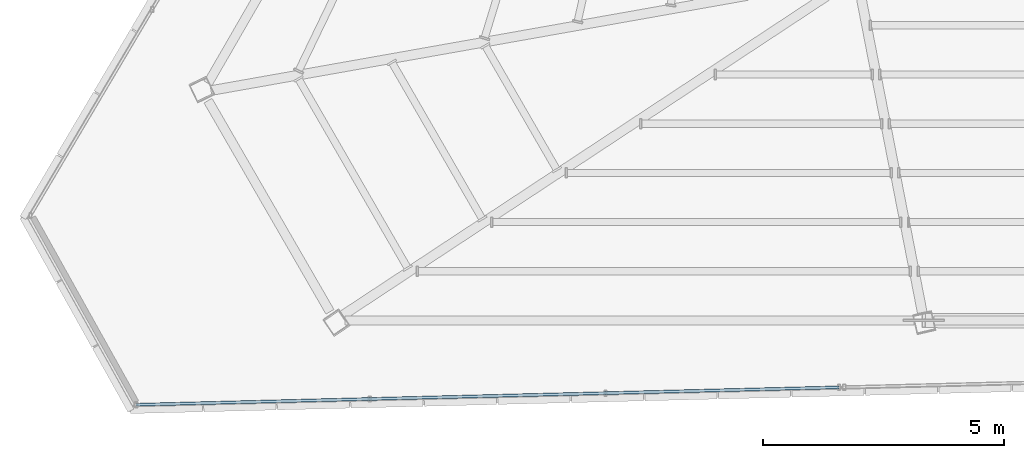
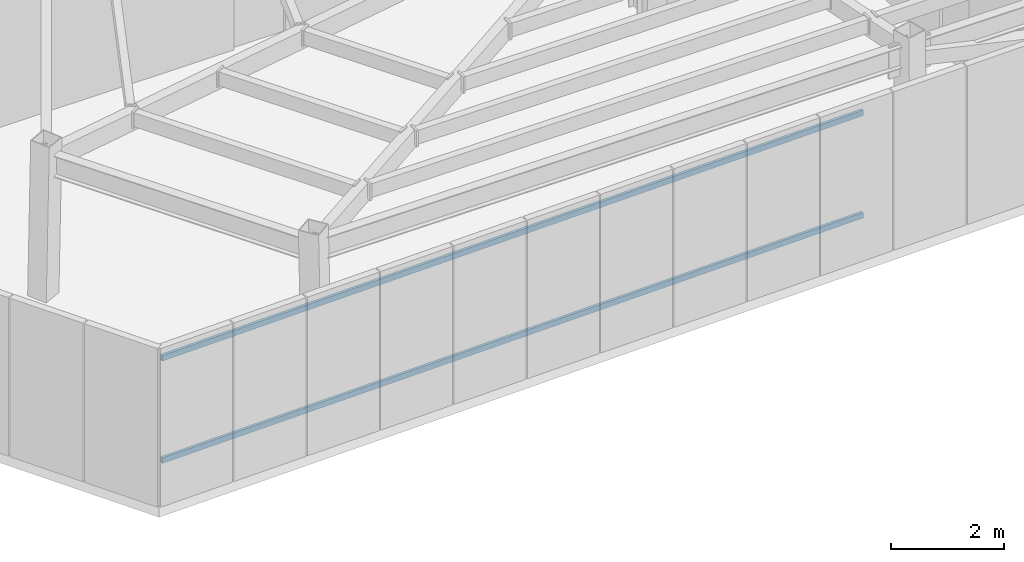
# One storey, part 4 of 48: 2 members, 1 element without a shape of its own.
"""IFC4 building model written with IfcOpenShell, lengths in metres."""

import ifcopenshell
import ifcopenshell.guid

model = None  # the IFC model being written
_history = None  # IfcOwnerHistory: only IFC2X3 demands one
_inside = {}  # id of a spatial element -> (the spatial element, [elements in it])
_under = {}  # id of a project, library or spatial element -> (it, [spatial elements below it])
_declared = {}  # id of a project -> (the project, [libraries it declares])
_typed = {}  # id of a type object -> (the type object, [elements of that type])
_made_of = {}  # id of a material, layer set ... -> (it, [elements and type objects made of it])


def new_model(schema):
    """Start an empty IFC model of exactly this schema.

    Asked for "IFC4X3", IfcOpenShell would pick the latest addendum, in which some entities
    have other attributes; the version numbers below select the first issue.
    IFC2X3 requires an IfcOwnerHistory on every rooted entity: one is made here for all.
    """
    global model, _history
    if schema == "IFC4X3":
        model = ifcopenshell.file(schema_version=(4, 3, 0, 0))
    else:
        model = ifcopenshell.file(schema=schema)
    _inside.clear()
    _under.clear()
    _declared.clear()
    _typed.clear()
    _made_of.clear()
    _history = None
    if model.schema == "IFC2X3":
        org = make("IfcOrganization", Name="unknown")
        user = make(
            "IfcPersonAndOrganization",
            ThePerson=make("IfcPerson", FamilyName="unknown"),
            TheOrganization=org,
        )
        app = make(
            "IfcApplication",
            ApplicationDeveloper=org,
            Version="unknown",
            ApplicationFullName="unknown",
            ApplicationIdentifier="unknown",
        )
        _history = make(
            "IfcOwnerHistory",
            OwningUser=user,
            OwningApplication=app,
            ChangeAction="ADDED",
            CreationDate=0,
        )
    return model


def make(cls, **values):
    """One entity of the class cls with the attributes given. An attribute that is None is left unset."""
    return model.create_entity(
        cls, **{name: value for name, value in values.items() if value is not None}
    )


def rooted(cls, **values):
    """An entity with a GlobalId (a new one), such as an element, a storey or a relation."""
    return make(cls, GlobalId=ifcopenshell.guid.new(), OwnerHistory=_history, **values)


def si_unit(unit_type, name, prefix=None):
    """IfcSIUnit, for example si_unit("LENGTHUNIT", "METRE", prefix="MILLI")."""
    return make("IfcSIUnit", UnitType=unit_type, Prefix=prefix, Name=name)


def assignment(units):
    """IfcUnitAssignment: the units of a project."""
    return None if units is None else make("IfcUnitAssignment", Units=units)


def point(xyz):
    """IfcCartesianPoint."""
    return None if xyz is None else make("IfcCartesianPoint", Coordinates=xyz)


def direction(xyz):
    """IfcDirection."""
    return None if xyz is None else make("IfcDirection", DirectionRatios=xyz)


def frame(location, z_axis=None, x_axis=None):
    """IfcAxis2Placement3D, a coordinate frame: its origin and axes. An axis left out is left unset."""
    return make(
        "IfcAxis2Placement3D",
        Location=point(location),
        Axis=direction(z_axis),
        RefDirection=direction(x_axis),
    )


def frame_2d(location, x_axis=None):
    """IfcAxis2Placement2D, a coordinate frame in the plane: its origin and x axis."""
    return make(
        "IfcAxis2Placement2D", Location=point(location), RefDirection=direction(x_axis)
    )


def origin():
    """The frame at (0, 0, 0) with its axes left unset."""
    return frame((0.0, 0.0, 0.0))


def origin_2d():
    """The frame at (0, 0) in the plane with its x axis left unset."""
    return frame_2d((0.0, 0.0))


def place(relative_to, where):
    """IfcLocalPlacement: puts the frame where relative to a parent placement (None: the world)."""
    return make(
        "IfcLocalPlacement", PlacementRelTo=relative_to, RelativePlacement=where
    )


def context(
    kind, dimensions, precision=None, world=None, true_north=None, identifier=None
):
    """IfcGeometricRepresentationContext, for example the 3D "Model" context."""
    return make(
        "IfcGeometricRepresentationContext",
        ContextIdentifier=identifier,
        ContextType=kind,
        CoordinateSpaceDimension=dimensions,
        Precision=precision,
        WorldCoordinateSystem=world,
        TrueNorth=true_north,
    )


def subcontext(parent, identifier, kind, view, scale=None):
    """IfcGeometricRepresentationSubContext, for example "Body" below "Model"."""
    return make(
        "IfcGeometricRepresentationSubContext",
        ContextIdentifier=identifier,
        ContextType=kind,
        ParentContext=parent,
        TargetScale=scale,
        TargetView=view,
    )


def project(units=None, contexts=None):
    """IfcProject with its units and contexts."""
    return rooted(
        "IfcProject",
        Name="project",
        RepresentationContexts=contexts,
        UnitsInContext=assignment(units),
    )


def spatial(cls, under=None, at=None, **own):
    """A site, building, storey or space (cls), placed at a placement, below another one or the project."""
    s = rooted(cls, ObjectPlacement=at, **own)
    if under is not None:
        _under.setdefault(under.id(), (under, []))[1].append(s)
    return s


def profile(cls, at=None, kind="AREA", **sizes):
    """A parametric profile (cls). Its sizes go by their IFC names, for example OverallWidth=200.0."""
    return make(cls, ProfileType=kind, Position=at, **sizes)


def hollow_rectangle(**sizes):
    """IfcRectangleHollowProfileDef."""
    return profile("IfcRectangleHollowProfileDef", **sizes)


def extrude(swept, where, along, depth):
    """IfcExtrudedAreaSolid: the profile swept, set in the frame where, extruded along a direction by depth."""
    return make(
        "IfcExtrudedAreaSolid",
        SweptArea=swept,
        Position=where,
        ExtrudedDirection=direction(along),
        Depth=depth,
    )


def shape(context_of_items, identifier, shape_type, items):
    """IfcShapeRepresentation: the items that make up one representation, for example the "Body"."""
    return make(
        "IfcShapeRepresentation",
        ContextOfItems=context_of_items,
        RepresentationIdentifier=identifier,
        RepresentationType=shape_type,
        Items=items,
    )


def source(mapping_origin, context_of_items, identifier, shape_type, items):
    """IfcRepresentationMap: a shape defined once, which mapped items show again and again."""
    return make(
        "IfcRepresentationMap",
        MappingOrigin=mapping_origin,
        MappedRepresentation=shape(context_of_items, identifier, shape_type, items),
    )


def transform(
    local_origin,
    x_axis=None,
    y_axis=None,
    z_axis=None,
    scale=None,
    scale2=None,
    scale3=None,
    uniform=True,
):
    """IfcCartesianTransformationOperator3D, or its non-uniform kind. x_axis, y_axis, z_axis: its Axis1, 2, 3."""
    if uniform:
        return make(
            "IfcCartesianTransformationOperator3D",
            Axis1=direction(x_axis),
            Axis2=direction(y_axis),
            LocalOrigin=point(local_origin),
            Scale=scale,
            Axis3=direction(z_axis),
        )
    return make(
        "IfcCartesianTransformationOperator3DnonUniform",
        Axis1=direction(x_axis),
        Axis2=direction(y_axis),
        LocalOrigin=point(local_origin),
        Scale=scale,
        Axis3=direction(z_axis),
        Scale2=scale2,
        Scale3=scale3,
    )


def mapped(mapping_source, mapping_target):
    """IfcMappedItem: shows the shape of a source again, moved by a transform."""
    return make(
        "IfcMappedItem", MappingSource=mapping_source, MappingTarget=mapping_target
    )


def material(Name=None, Category=None):
    """IfcMaterial."""
    return make("IfcMaterial", Name=Name, Category=Category)


def material_profile(
    of_material, cross_section, Name=None, Category=None, Priority=None
):
    """IfcMaterialProfile: a cross section and its material."""
    return make(
        "IfcMaterialProfile",
        Name=Name,
        Material=of_material,
        Profile=cross_section,
        Priority=Priority,
        Category=Category,
    )


def profile_set(profiles, Name=None, composite=None):
    """IfcMaterialProfileSet."""
    return make(
        "IfcMaterialProfileSet",
        Name=Name,
        MaterialProfiles=profiles,
        CompositeProfile=composite,
    )


def made_of(thing, what):
    """Note that an element or type object is made of a material, layer set ...; save() writes the relation."""
    if what is not None:
        _made_of.setdefault(what.id(), (what, []))[1].append(thing)
    return thing


def type_object(cls, material=None, **own):
    """A type object (cls), such as IfcWallType, which elements share."""
    return made_of(rooted(cls, **own), material)


def type_shapes(of_type, sources):
    """Give a type object the sources (RepresentationMaps) that its elements show as mapped items."""
    of_type.RepresentationMaps = sources


def element(
    cls,
    number,
    at=None,
    inside=None,
    cuts=None,
    type_object=None,
    material=None,
    context=None,
    identifier="Body",
    shape_type=None,
    held_by="IfcProductDefinitionShape",
    body=None,
    shapes=None,
    **own,
):
    """One element of the class cls, such as IfcWall. Its Tag is "e" and its number.

    at: its placement. inside: the storey or other place that contains it. cuts: it is an
    opening in that element (IfcRelVoidsElement). A single representation is given by context,
    identifier, shape_type and body (its items); several are given by shapes. held_by: the class
    of the entity that holds the representations. save() writes the other relations.
    """
    e = rooted(cls, Tag="e%d" % number, ObjectPlacement=at, **own)
    if body is not None:
        shapes = [shape(context, identifier, shape_type, body)]
    if shapes is not None:
        e.Representation = make(held_by, Representations=shapes)
    if inside is not None:
        _inside.setdefault(inside.id(), (inside, []))[1].append(e)
    if cuts is not None:
        rooted(
            "IfcRelVoidsElement", RelatingBuildingElement=cuts, RelatedOpeningElement=e
        )
    if type_object is not None:
        _typed.setdefault(type_object.id(), (type_object, []))[1].append(e)
    return made_of(e, material)


def aggregate(whole, parts):
    """IfcRelAggregates: a whole, such as a stair, and the parts it consists of."""
    return rooted("IfcRelAggregates", RelatingObject=whole, RelatedObjects=parts)


def save(model, path):
    """Write the relations noted so far, then the file.

    IfcRelAggregates (storeys below a building ...), IfcRelContainedInSpatialStructure (elements
    in a storey), IfcRelDefinesByType, IfcRelAssociatesMaterial and IfcRelDeclares: one each for
    every whole, place, type object, material and project.
    """
    for whole, parts in _under.values():
        aggregate(whole, parts)
    for where, things in _inside.values():
        rooted(
            "IfcRelContainedInSpatialStructure",
            RelatedElements=things,
            RelatingStructure=where,
        )
    for kind, things in _typed.values():
        rooted("IfcRelDefinesByType", RelatedObjects=things, RelatingType=kind)
    for what, things in _made_of.values():
        rooted("IfcRelAssociatesMaterial", RelatedObjects=things, RelatingMaterial=what)
    for by, libraries in _declared.values():
        rooted("IfcRelDeclares", RelatingContext=by, RelatedDefinitions=libraries)
    model.write(path)


model = new_model("IFC4")

# Units and contexts
model_context = context("Model", 3, precision=1e-05, world=origin(), true_north=direction((0.0, 1.0)))
body_context = subcontext(model_context, "Body", "Model", "MODEL_VIEW")
ifc_project = project(units=[si_unit("LENGTHUNIT", "METRE"), si_unit("AREAUNIT", "SQUARE_METRE"), si_unit("VOLUMEUNIT", "CUBIC_METRE"), si_unit("PLANEANGLEUNIT", "RADIAN"), si_unit("MASSUNIT", "GRAM", prefix="KILO")], contexts=[model_context])

# Site, building, storey
site_placement = place(None, origin())
site = spatial("IfcSite", under=ifc_project, at=site_placement, CompositionType="ELEMENT")
building_placement = place(site_placement, origin())
building = spatial("IfcBuilding", under=site, at=building_placement, Name="Caelisora Broadcast Tower", CompositionType="ELEMENT")
storey_placement = place(building_placement, frame((0.0, 0.0, 300.0)))
storey = spatial("IfcBuildingStorey", under=building, at=storey_placement, Name="L79", CompositionType="ELEMENT", Elevation=300.0)

# Curtain wall, members
ifc_material_1 = material(Name="Unitised Aluminium Insulated Shadow-Box Spandrel Curtain Wall", Category="aluminium")
curtain_wall_type = type_object("IfcCurtainWallType", Name="CW-SP3", PredefinedType="NOTDEFINED", material=ifc_material_1)
curtain_wall_placement = place(storey_placement, origin())
curtain_wall = element("IfcCurtainWall", 1, at=curtain_wall_placement, inside=storey, type_object=curtain_wall_type, Name="L79 curtain wall CW-SP3", PredefinedType="NOTDEFINED")
ifc_material_2 = material(Name="Aluminium 6063-T6 Anodised Terracotta Bronze", Category="aluminium")
ifc_material_profile = material_profile(ifc_material_2, hollow_rectangle(XDim=0.06005859375, YDim=0.1201171875, WallThickness=0.0029296875, at=origin_2d()), Name="Aluminium 6063-T6 Anodised Terracotta Bronze")
ifc_profile_set = profile_set([ifc_material_profile], Name="Aluminium 6063-T6 Anodised Terracotta Bronze")
member_type = type_object("IfcMemberType", Name="CWT-03", PredefinedType="USERDEFINED", material=ifc_profile_set)
shared_shape = source(origin(), body_context, "Body", "SweptSolid", [
    extrude(hollow_rectangle(XDim=0.06005859375, YDim=0.1201171875, WallThickness=0.0029296875, at=origin_2d()), origin(), (0.0, 0.0, 1.0), 14.595458984375),
])
type_shapes(member_type, [shared_shape])
member_1_placement = place(storey_placement, frame((30.1259765625, 8.861328125, 0.85009765625), z_axis=(-0.999692278415, -0.024806218504, 0.0), x_axis=(0.024806218504, -0.999692278415, 0.0)))
member_1 = element("IfcMember", 2, at=member_1_placement, type_object=member_type, Name="L79-CW-B07 transom #1", ObjectType="TRANSOM", PredefinedType="USERDEFINED", context=body_context, shape_type="MappedRepresentation", body=[
    mapped(shared_shape, transform((0.0, 0.0, 0.0), scale=1.0)),
])
member_2_placement = place(storey_placement, frame((30.1259765625, 8.861328125, 3.070068359375), z_axis=(-0.999692278415, -0.024806218504, 0.0), x_axis=(0.024806218504, -0.999692278415, 0.0)))
member_2 = element("IfcMember", 3, at=member_2_placement, type_object=member_type, Name="L79-CW-B07 transom #2", ObjectType="TRANSOM", PredefinedType="USERDEFINED", context=body_context, shape_type="MappedRepresentation", body=[
    mapped(shared_shape, transform((0.0, 0.0, 0.0), scale=1.0)),
])
aggregate(curtain_wall, [member_1, member_2])

save(model, "model.ifc")
